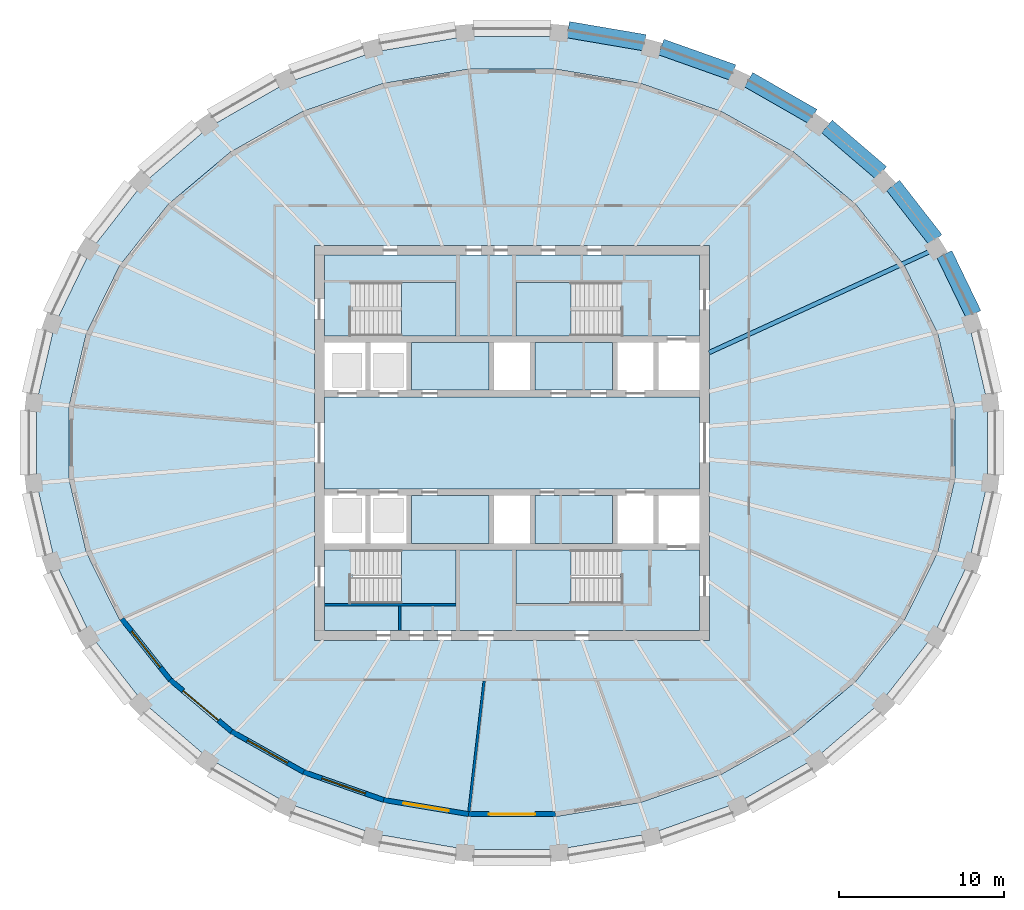
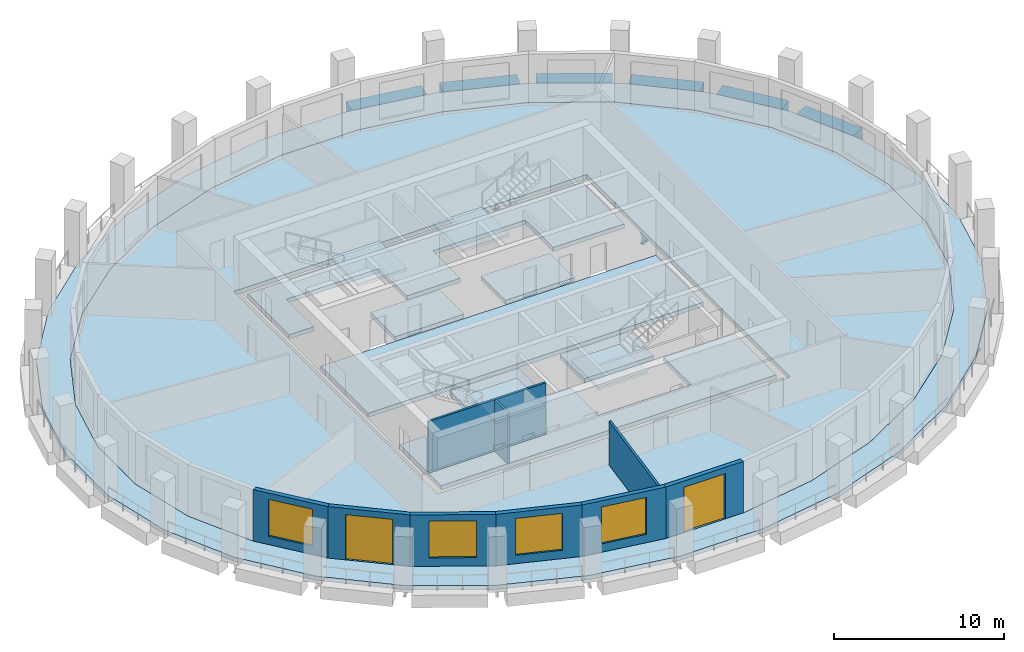
# One storey, part 2 of 10: 13 slabs, 9 walls, 7 beams, 4 windows, 2 doors, 6 openings, 4 elements without a shape of their own.
"""IFC4 building model written with IfcOpenShell, lengths in metres."""

from ifc_helpers import new_model, si_unit, direction, frame, frame_2d, origin, origin_2d, place, context, subcontext, project, spatial, polyline, rectangle, i_section, outline, extrude, material, layer, layer_set, material_profile, profile_set, type_object, element, fill, aggregate, save


model = new_model("IFC4")

# Units and contexts
model_context = context("Model", 3, precision=1e-05, world=origin(), true_north=direction((0.0, 1.0)))
body_context = subcontext(model_context, "Body", "Model", "MODEL_VIEW")
ifc_project = project(units=[si_unit("LENGTHUNIT", "METRE"), si_unit("AREAUNIT", "SQUARE_METRE"), si_unit("VOLUMEUNIT", "CUBIC_METRE"), si_unit("PLANEANGLEUNIT", "RADIAN"), si_unit("MASSUNIT", "GRAM", prefix="KILO")], contexts=[model_context])

# Site, building, storey
site_placement = place(None, origin())
site = spatial("IfcSite", under=ifc_project, at=site_placement, CompositionType="ELEMENT")
building_placement = place(site_placement, origin())
building = spatial("IfcBuilding", under=site, at=building_placement, Name="Halqa Exchange Tower", CompositionType="ELEMENT")
storey_placement = place(building_placement, frame((0.0, 0.0, 288.300048828125)))
storey = spatial("IfcBuildingStorey", under=building, at=storey_placement, Name="L67", CompositionType="ELEMENT", Elevation=288.300048828125)

# Beams
ifc_material_1 = material(Name="Steel S355", Category="steel")
ifc_material_profile_1 = material_profile(ifc_material_1, i_section(OverallWidth=0.264892578125, OverallDepth=0.7529296875, WebThickness=0.01318359375, FlangeThickness=0.01708984375, FilletRadius=0.01708984375, at=origin_2d()), Name="IPE 750x147")
ifc_profile_set_1 = profile_set([ifc_material_profile_1], Name="Steel S355")
beam_type_1 = type_object("IfcBeamType", Name="Floor beam IPE 750x147", PredefinedType="BEAM", material=ifc_profile_set_1)
beam_1_placement = place(storey_placement, frame((11.972412109375, 5.4853515625, -0.676513671875), z_axis=(0.909129124533, 0.416514387417, 0.0), x_axis=(-0.416514387417, 0.909129124533, 0.0)))
element("IfcBeam", 1, at=beam_1_placement, inside=storey, type_object=beam_type_1, Name="Radial beam 3", PredefinedType="BEAM", context=body_context, shape_type="SweptSolid", body=[
    extrude(i_section(OverallWidth=0.264892578125, OverallDepth=0.7529296875, WebThickness=0.01318359375, FlangeThickness=0.01708984375, FilletRadius=0.01708984375, at=origin_2d()), origin(), (0.0, 0.0, 1.0), 15.097412109375),
])
ifc_material_2 = material(Name="Concrete C60/75", Category="concrete")
ifc_material_profile_2 = material_profile(ifc_material_2, rectangle(XDim=1.0, YDim=0.89990234375, at=origin_2d()), Name="1000 x 900")
ifc_profile_set_2 = profile_set([ifc_material_profile_2], Name="Concrete C60/75")
beam_type_2 = type_object("IfcBeamType", Name="RC spandrel beam 1000 x 900 C60/75", PredefinedType="SPANDREL", material=ifc_profile_set_2)
beam_2_placement = place(storey_placement, frame((28.0263671875, 7.8193359375, -0.449951171875), z_axis=(-0.435061697702, 0.90040064371, 0.0), x_axis=(-0.90040064371, -0.435061697702, 0.0)))
element("IfcBeam", 2, at=beam_2_placement, inside=storey, type_object=beam_type_2, Name="Spandrel 2", PredefinedType="SPANDREL", context=body_context, shape_type="SweptSolid", body=[
    extrude(rectangle(XDim=1.0, YDim=0.89990234375, at=origin_2d()), origin(), (0.0, 0.0, 1.0), 4.039794921875),
])
beam_3_placement = place(storey_placement, frame((25.71728515625, 12.343994140625, -0.449951171875), z_axis=(-0.614781231149, 0.788697684684, 0.0), x_axis=(-0.788697684684, -0.614781231149, 0.0)))
element("IfcBeam", 3, at=beam_3_placement, inside=storey, type_object=beam_type_2, Name="Spandrel 3", PredefinedType="SPANDREL", context=body_context, shape_type="SweptSolid", body=[
    extrude(rectangle(XDim=1.0, YDim=0.89990234375, at=origin_2d()), origin(), (0.0, 0.0, 1.0), 4.180419921875),
])
beam_4_placement = place(storey_placement, frame((22.42626953125, 16.396484375, -0.449951171875), z_axis=(-0.759256602365, 0.650791373456, 0.0), x_axis=(-0.650791373456, -0.759256602365, 0.0)))
element("IfcBeam", 4, at=beam_4_placement, inside=storey, type_object=beam_type_2, Name="Spandrel 4", PredefinedType="SPANDREL", context=body_context, shape_type="SweptSolid", body=[
    extrude(rectangle(XDim=1.0, YDim=0.89990234375, at=origin_2d()), origin(), (0.0, 0.0, 1.0), 4.342041015625),
])
beam_5_placement = place(storey_placement, frame((18.27685546875, 19.82373046875, -0.449951171875), z_axis=(-0.867761736786, 0.496980450492, 0.0), x_axis=(-0.496980450492, -0.867761736786, 0.0)))
element("IfcBeam", 5, at=beam_5_placement, inside=storey, type_object=beam_type_2, Name="Spandrel 5", PredefinedType="SPANDREL", context=body_context, shape_type="SweptSolid", body=[
    extrude(rectangle(XDim=1.0, YDim=0.89990234375, at=origin_2d()), origin(), (0.0, 0.0, 1.0), 4.497802734375),
])
beam_6_placement = place(storey_placement, frame((13.42529296875, 22.4951171875, -0.449951171875), z_axis=(-0.942367104473, 0.334580693418, 0.0), x_axis=(-0.334580693418, -0.942367104473, 0.0)))
element("IfcBeam", 6, at=beam_6_placement, inside=storey, type_object=beam_type_2, Name="Spandrel 6", PredefinedType="SPANDREL", context=body_context, shape_type="SweptSolid", body=[
    extrude(rectangle(XDim=1.0, YDim=0.89990234375, at=origin_2d()), origin(), (0.0, 0.0, 1.0), 4.626220703125),
])
beam_7_placement = place(storey_placement, frame((8.05419921875, 24.306640625, -0.449951171875), z_axis=(-0.985774984222, 0.168070462848, 0.0), x_axis=(-0.168070462848, -0.985774984222, 0.0)))
element("IfcBeam", 7, at=beam_7_placement, inside=storey, type_object=beam_type_2, Name="Spandrel 7", PredefinedType="SPANDREL", context=body_context, shape_type="SweptSolid", body=[
    extrude(rectangle(XDim=1.0, YDim=0.89990234375, at=origin_2d()), origin(), (0.0, 0.0, 1.0), 4.710693359375),
])

# Slabs
ifc_layer_1 = layer(ifc_material_2, 0.300048828125)
ifc_layer_set_1 = layer_set([ifc_layer_1], Name="Concrete C60/75")
slab_type_1 = type_object("IfcSlabType", Name="Core floor slab 300", PredefinedType="FLOOR", material=ifc_layer_set_1)
slab_1_placement = place(storey_placement, frame((0.0, 0.0, -0.300048828125)))
element("IfcSlab", 8, at=slab_1_placement, inside=storey, type_object=slab_type_1, Name="Core floor slab", PredefinedType="FLOOR", context=body_context, shape_type="SweptSolid", body=[
    extrude(outline(polyline([(-11.39990234375, 2.800048828125), (11.39990234375, 2.800048828125), (11.39990234375, -2.800048828125), (-11.39990234375, -2.800048828125), (-11.39990234375, 2.800048828125)])), origin(), (0.0, 0.0, 1.0), 0.300048828125),
])
slab_2_placement = place(storey_placement, frame((0.0, 0.0, -0.300048828125)))
element("IfcSlab", 9, at=slab_2_placement, inside=storey, type_object=slab_type_1, Name="Core floor slab", PredefinedType="FLOOR", context=body_context, shape_type="SweptSolid", body=[
    extrude(outline(polyline([(-11.39990234375, 11.39990234375), (11.39990234375, 11.39990234375), (11.39990234375, 6.5), (6.550048828125, 6.5), (6.550048828125, 9.75), (0.25, 9.75), (0.25, 6.5), (-3.39990234375, 6.5), (-3.39990234375, 9.75), (-9.699951171875, 9.75), (-9.699951171875, 6.5), (-11.39990234375, 6.5), (-11.39990234375, 11.39990234375)])), origin(), (0.0, 0.0, 1.0), 0.300048828125),
])
slab_3_placement = place(storey_placement, frame((0.0, 0.0, -0.300048828125)))
element("IfcSlab", 10, at=slab_3_placement, inside=storey, type_object=slab_type_1, Name="Core floor slab", PredefinedType="FLOOR", context=body_context, shape_type="SweptSolid", body=[
    extrude(outline(polyline([(-11.39990234375, -6.5), (-9.699951171875, -6.5), (-9.699951171875, -9.75), (-3.39990234375, -9.75), (-3.39990234375, -6.5), (0.25, -6.5), (0.25, -9.75), (6.550048828125, -9.75), (6.550048828125, -6.5), (11.39990234375, -6.5), (11.39990234375, -11.39990234375), (-11.39990234375, -11.39990234375), (-11.39990234375, -6.5)])), origin(), (0.0, 0.0, 1.0), 0.300048828125),
])
slab_4_placement = place(storey_placement, frame((0.0, 0.0, -0.300048828125)))
element("IfcSlab", 11, at=slab_4_placement, inside=storey, type_object=slab_type_1, Name="Core floor slab", PredefinedType="FLOOR", context=body_context, shape_type="SweptSolid", body=[
    extrude(outline(polyline([(-1.39990234375, -3.199951171875), (-1.39990234375, -6.10009765625), (-6.10009765625, -6.10009765625), (-6.10009765625, -3.199951171875), (-1.39990234375, -3.199951171875)])), origin(), (0.0, 0.0, 1.0), 0.300048828125),
])
slab_5_placement = place(storey_placement, frame((0.0, 0.0, -0.300048828125)))
element("IfcSlab", 12, at=slab_5_placement, inside=storey, type_object=slab_type_1, Name="Core floor slab", PredefinedType="FLOOR", context=body_context, shape_type="SweptSolid", body=[
    extrude(outline(polyline([(-1.39990234375, 3.199951171875), (-6.10009765625, 3.199951171875), (-6.10009765625, 6.10009765625), (-1.39990234375, 6.10009765625), (-1.39990234375, 3.199951171875)])), origin(), (0.0, 0.0, 1.0), 0.300048828125),
])
slab_6_placement = place(storey_placement, frame((0.0, 0.0, -0.300048828125)))
element("IfcSlab", 13, at=slab_6_placement, inside=storey, type_object=slab_type_1, Name="Core floor slab", PredefinedType="FLOOR", context=body_context, shape_type="SweptSolid", body=[
    extrude(outline(polyline([(6.10009765625, -3.199951171875), (6.10009765625, -6.10009765625), (1.39990234375, -6.10009765625), (1.39990234375, -3.199951171875), (6.10009765625, -3.199951171875)])), origin(), (0.0, 0.0, 1.0), 0.300048828125),
])
slab_7_placement = place(storey_placement, frame((0.0, 0.0, -0.300048828125)))
element("IfcSlab", 14, at=slab_7_placement, inside=storey, type_object=slab_type_1, Name="Core floor slab", PredefinedType="FLOOR", context=body_context, shape_type="SweptSolid", body=[
    extrude(outline(polyline([(6.10009765625, 6.10009765625), (6.10009765625, 3.199951171875), (1.39990234375, 3.199951171875), (1.39990234375, 6.10009765625), (6.10009765625, 6.10009765625)])), origin(), (0.0, 0.0, 1.0), 0.300048828125),
])
ifc_material_3 = material(Name="Concrete C40/50", Category="concrete")
ifc_layer_2 = layer(ifc_material_3, 0.300048828125)
ifc_layer_set_2 = layer_set([ifc_layer_2], Name="Concrete C40/50")
slab_type_2 = type_object("IfcSlabType", Name="RC floor slab 300", PredefinedType="FLOOR", material=ifc_layer_set_2)
slab_8_placement = place(storey_placement, frame((0.0, 0.0, -0.300048828125)))
element("IfcSlab", 15, at=slab_8_placement, inside=storey, type_object=slab_type_2, Name="Floor slab", PredefinedType="FLOOR", context=body_context, shape_type="SweptSolid", body=[
    extrude(outline(polyline([(26.897705078125, 2.2412109375), (25.859619140625, 6.6357421875), (23.825439453125, 10.771484375), (20.8759765625, 14.4892578125), (17.126708984375, 17.646728515625), (12.72265625, 20.125), (7.8330078125, 21.830810546875), (2.64453125, 22.699951171875), (-2.64453125, 22.699951171875), (-7.8330078125, 21.830810546875), (-12.72265625, 20.125), (-17.126708984375, 17.646728515625), (-20.8759765625, 14.4892578125), (-23.825439453125, 10.771484375), (-25.859619140625, 6.6357421875), (-26.897705078125, 2.2412109375), (-26.897705078125, -2.2412109375), (-25.859619140625, -6.6357421875), (-23.825439453125, -10.771484375), (-20.8759765625, -14.4892578125), (-17.126708984375, -17.646728515625), (-12.72265625, -20.125), (-7.8330078125, -21.830810546875), (-2.64453125, -22.699951171875), (2.64453125, -22.699951171875), (7.8330078125, -21.830810546875), (12.72265625, -20.125), (17.126708984375, -17.646728515625), (20.8759765625, -14.4892578125), (23.825439453125, -10.771484375), (25.859619140625, -6.6357421875), (26.897705078125, -2.2412109375), (26.897705078125, 2.2412109375)]), holes=[polyline([(-12.0, -12.0), (12.0, -12.0), (12.0, 12.0), (-12.0, 12.0), (-12.0, -12.0)])]), origin(), (0.0, 0.0, 1.0), 0.300048828125),
])
ifc_layer_3 = layer(ifc_material_3, 0.300048828125)
ifc_layer_set_3 = layer_set([ifc_layer_3], Name="Concrete C40/50")
slab_type_3 = type_object("IfcSlabType", Name="RC loggia slab 300", PredefinedType="FLOOR", material=ifc_layer_set_3)
slab_9_placement = place(storey_placement, frame((0.0, 0.0, -0.300048828125)))
element("IfcSlab", 16, at=slab_9_placement, inside=storey, type_object=slab_type_3, Name="Loggia slab", PredefinedType="FLOOR", context=body_context, shape_type="SweptSolid", body=[
    extrude(outline(polyline([(28.884033203125, 2.42333984375), (28.884033203125, -2.42333984375), (27.780517578125, -7.17919921875), (25.61279296875, -11.664794921875), (22.460693359375, -15.70849609375), (18.44189453125, -19.1533203125), (13.708984375, -21.86376953125), (8.4443359375, -23.73291015625), (2.851806640625, -24.686279296875), (-2.851806640625, -24.686279296875), (-8.4443359375, -23.73291015625), (-13.708984375, -21.86376953125), (-18.44189453125, -19.1533203125), (-22.460693359375, -15.70849609375), (-25.61279296875, -11.664794921875), (-27.780517578125, -7.17919921875), (-28.884033203125, -2.42333984375), (-28.884033203125, 2.42333984375), (-27.780517578125, 7.17919921875), (-25.61279296875, 11.664794921875), (-22.460693359375, 15.70849609375), (-18.44189453125, 19.1533203125), (-13.708984375, 21.86376953125), (-8.4443359375, 23.73291015625), (-2.851806640625, 24.686279296875), (2.851806640625, 24.686279296875), (8.4443359375, 23.73291015625), (13.708984375, 21.86376953125), (18.44189453125, 19.1533203125), (22.460693359375, 15.70849609375), (25.61279296875, 11.664794921875), (27.780517578125, 7.17919921875), (28.884033203125, 2.42333984375)]), holes=[polyline([(26.897705078125, 2.2412109375), (25.859619140625, 6.6357421875), (23.825439453125, 10.771484375), (20.8759765625, 14.4892578125), (17.126708984375, 17.646728515625), (12.72265625, 20.125), (7.8330078125, 21.830810546875), (2.64453125, 22.699951171875), (-2.64453125, 22.699951171875), (-7.8330078125, 21.830810546875), (-12.72265625, 20.125), (-17.126708984375, 17.646728515625), (-20.8759765625, 14.4892578125), (-23.825439453125, 10.771484375), (-25.859619140625, 6.6357421875), (-26.897705078125, 2.2412109375), (-26.897705078125, -2.2412109375), (-25.859619140625, -6.6357421875), (-23.825439453125, -10.771484375), (-20.8759765625, -14.4892578125), (-17.126708984375, -17.646728515625), (-12.72265625, -20.125), (-7.8330078125, -21.830810546875), (-2.64453125, -22.699951171875), (2.64453125, -22.699951171875), (7.8330078125, -21.830810546875), (12.72265625, -20.125), (17.126708984375, -17.646728515625), (20.8759765625, -14.4892578125), (23.825439453125, -10.771484375), (25.859619140625, -6.6357421875), (26.897705078125, -2.2412109375), (26.897705078125, 2.2412109375)])]), origin(), (0.0, 0.0, 1.0), 0.300048828125),
])

# Stair, slab
ifc_material_4 = material(Name="Concrete C30/37", Category="concrete")
stair_type = type_object("IfcStairType", Name="Exit stair 1500 wide", PredefinedType="HALF_TURN_STAIR", material=ifc_material_4)
stair_1_placement = place(storey_placement, origin())
stair_1 = element("IfcStair", 17, at=stair_1_placement, inside=storey, type_object=stair_type, Name="Exit stair ST1", PredefinedType="HALF_TURN_STAIR")
ifc_layer_4 = layer(ifc_material_4, 0.199951171875)
ifc_layer_set_4 = layer_set([ifc_layer_4], Name="Concrete C30/37")
slab_type_4 = type_object("IfcSlabType", Name="Stair landing 200 slab", PredefinedType="LANDING", material=ifc_layer_set_4)
slab_10_placement = place(storey_placement, frame((0.0, 0.0, 1.800048828125)))
slab_10 = element("IfcSlab", 18, at=slab_10_placement, type_object=slab_type_4, Name="ST1 landing 1", PredefinedType="LANDING", context=body_context, shape_type="SweptSolid", body=[
    extrude(outline(polyline([(-6.719970703125, 6.5), (-3.39990234375, 6.5), (-3.39990234375, 9.75), (-6.719970703125, 9.75), (-6.719970703125, 6.5)])), origin(), (0.0, 0.0, 1.0), 0.199951171875),
])
aggregate(stair_1, [slab_10])

stair_2_placement = place(storey_placement, origin())
stair_2 = element("IfcStair", 19, at=stair_2_placement, inside=storey, type_object=stair_type, Name="Exit stair ST2", PredefinedType="HALF_TURN_STAIR")
slab_11_placement = place(storey_placement, frame((0.0, 0.0, 1.800048828125)))
slab_11 = element("IfcSlab", 20, at=slab_11_placement, type_object=slab_type_4, Name="ST2 landing 1", PredefinedType="LANDING", context=body_context, shape_type="SweptSolid", body=[
    extrude(outline(polyline([(0.25, 6.5), (3.570068359375, 6.5), (3.570068359375, 9.75), (0.25, 9.75), (0.25, 6.5)])), origin(), (0.0, 0.0, 1.0), 0.199951171875),
])
aggregate(stair_2, [slab_11])

stair_3_placement = place(storey_placement, origin())
stair_3 = element("IfcStair", 21, at=stair_3_placement, inside=storey, type_object=stair_type, Name="Exit stair ST3", PredefinedType="HALF_TURN_STAIR")
slab_12_placement = place(storey_placement, frame((0.0, 0.0, 1.800048828125)))
slab_12 = element("IfcSlab", 22, at=slab_12_placement, type_object=slab_type_4, Name="ST3 landing 1", PredefinedType="LANDING", context=body_context, shape_type="SweptSolid", body=[
    extrude(outline(polyline([(-6.719970703125, -9.75), (-3.39990234375, -9.75), (-3.39990234375, -6.5), (-6.719970703125, -6.5), (-6.719970703125, -9.75)])), origin(), (0.0, 0.0, 1.0), 0.199951171875),
])
aggregate(stair_3, [slab_12])

stair_4_placement = place(storey_placement, origin())
stair_4 = element("IfcStair", 23, at=stair_4_placement, inside=storey, type_object=stair_type, Name="Exit stair ST4", PredefinedType="HALF_TURN_STAIR")
slab_13_placement = place(storey_placement, frame((0.0, 0.0, 1.800048828125)))
slab_13 = element("IfcSlab", 24, at=slab_13_placement, type_object=slab_type_4, Name="ST4 landing 1", PredefinedType="LANDING", context=body_context, shape_type="SweptSolid", body=[
    extrude(outline(polyline([(0.25, -9.75), (3.570068359375, -9.75), (3.570068359375, -6.5), (0.25, -6.5), (0.25, -9.75)])), origin(), (0.0, 0.0, 1.0), 0.199951171875),
])
aggregate(stair_4, [slab_13])

# Walls
ifc_material_5 = material(Name="Fire-rated gypsum board")
ifc_layer_5 = layer(ifc_material_5, 0.14990234375)
ifc_layer_set_5 = layer_set([ifc_layer_5], Name="Fire-rated gypsum board")
wall_type_1 = type_object("IfcWallType", Name="Fire partition EI 60 150", PredefinedType="PARTITIONING", material=ifc_layer_set_5)
wall_1_placement = place(storey_placement, frame((-1.687744140625, -14.466552734375, 0.0), z_axis=(0.0, 0.0, 1.0), x_axis=(-0.116071250105, -0.993240889663, 0.0)))
element("IfcWall", 25, at=wall_1_placement, inside=storey, type_object=wall_type_1, Name="L67-PWL-008", PredefinedType="PARTITIONING", context=body_context, shape_type="SweptSolid", body=[
    extrude(outline(polyline([(7.984375, -0.074951171875), (7.984375, 0.025390625), (7.978515625, 0.074951171875), (5.98388671875, 0.074951171875), (3.9892578125, 0.074951171875), (1.99462890625, 0.074951171875), (0.0, 0.074951171875), (0.0, 0.07275390625), (0.017333984375, -0.074951171875), (2.009033203125, -0.074951171875), (4.000732421875, -0.074951171875), (5.99267578125, -0.074951171875), (7.984375, -0.074951171875)])), origin(), (0.0, 0.0, 1.0), 3.14990234375),
])
ifc_material_6 = material(Name="Gypsum board")
ifc_layer_6 = layer(ifc_material_6, 0.14990234375)
ifc_layer_set_6 = layer_set([ifc_layer_6], Name="Gypsum board")
wall_type_2 = type_object("IfcWallType", Name="Penthouse riser wall 150 gypsum", PredefinedType="PARTITIONING", material=ifc_layer_set_6)
wall_2_placement = place(storey_placement, frame((-6.824951171875, -11.39990234375, 0.0), z_axis=(0.0, 0.0, 1.0), x_axis=(0.0, 1.0, 0.0)))
element("IfcWall", 26, at=wall_2_placement, inside=storey, type_object=wall_type_2, Name="Partition W6.825 S", PredefinedType="PARTITIONING", context=body_context, shape_type="SweptSolid", body=[
    extrude(rectangle(XDim=1.5, YDim=0.14990234375, at=frame_2d((0.75, 0.0))), origin(), (0.0, 0.0, 1.0), 3.699951171875),
])
ifc_layer_7 = layer(ifc_material_4, 0.14990234375)
ifc_layer_set_7 = layer_set([ifc_layer_7], Name="Concrete C30/37")
wall_type_3 = type_object("IfcWallType", Name="RC stair wall 150 C30/37", PredefinedType="SHEAR", material=ifc_layer_set_7)
wall_3_placement = place(storey_placement, frame((-11.39990234375, -9.824951171875, 0.0), z_axis=(0.0, 0.0, 1.0), x_axis=(1.0, 0.0, 0.0)))
element("IfcWall", 27, at=wall_3_placement, inside=storey, type_object=wall_type_3, Name="Stair ST1 north wall S", PredefinedType="SHEAR", context=body_context, shape_type="SweptSolid", body=[
    extrude(rectangle(XDim=8.0, YDim=0.14990234375, at=frame_2d((4.0, 0.0))), origin(), (0.0, 0.0, 1.0), 3.699951171875),
])

# Wall, opening, window
ifc_material_7 = material(Name="Limestone cladding", Category="masonry")
ifc_layer_8 = layer(ifc_material_7, 0.0400390625)
ifc_material_8 = material(Name="Ventilated cavity")
ifc_layer_9 = layer(ifc_material_8, 0.030029296875, ventilated=True)
ifc_material_9 = material(Name="Mineral wool insulation")
ifc_layer_10 = layer(ifc_material_9, 0.10009765625)
ifc_layer_11 = layer(ifc_material_4, 0.10009765625)
ifc_material_10 = material(Name="Internal plaster")
ifc_layer_12 = layer(ifc_material_10, 0.030029296875)
ifc_layer_set_8 = layer_set([ifc_layer_8, ifc_layer_9, ifc_layer_10, ifc_layer_11, ifc_layer_12], Name="Stone-faced insulated wall 300")
wall_type_4 = type_object("IfcWallType", Name="Stone-faced insulated wall 300", PredefinedType="STANDARD", material=ifc_layer_set_8)
wall_4_placement = place(storey_placement, frame((-23.697998046875, -10.69091796875, 0.0), z_axis=(0.0, 0.0, 1.0), x_axis=(0.621544881236, -0.783378555112, 0.0)))
wall_4 = element("IfcWall", 28, at=wall_4_placement, inside=storey, type_object=wall_type_4, Name="Glass-line wall 19", PredefinedType="STANDARD", context=body_context, shape_type="SweptSolid", body=[
    extrude(outline(polyline([(-0.01611328125, -0.14990234375), (4.7294921875, -0.14990234375), (4.69921875, 0.14990234375), (0.01611328125, 0.14990234375), (-0.01611328125, -0.14990234375)])), origin(), (0.0, 0.0, 1.0), 3.699951171875),
])
opening_1_placement = place(wall_4_placement, frame((0.957275390625, 0.0, 0.60009765625)))
opening_1 = element("IfcOpeningElement", 29, at=opening_1_placement, cuts=wall_4, Name="Opening W-F4-19", PredefinedType="OPENING", context=body_context, shape_type="SweptSolid", body=[
    extrude(rectangle(XDim=2.800048828125, YDim=2.64990234375, at=frame_2d((1.39990234375, 1.324951171875))), frame((0.0, 0.162109375, 0.0), z_axis=(0.0, -1.0, 0.0), x_axis=(1.0, 0.0, 0.0)), (0.0, 0.0, 1.0), 0.323974609375),
])
ifc_material_11 = material(Name="Clear low-emissivity glass in aluminium frame", Category="aluminium")
window_type = type_object("IfcWindowType", Name="Fixed clear glazed window 2800 x 2650", PartitioningType="DOUBLE_PANEL_VERTICAL", PredefinedType="WINDOW", material=ifc_material_11)
window_1_placement = place(opening_1_placement, origin())
window_1 = element("IfcWindow", 30, at=window_1_placement, inside=storey, type_object=window_type, Name="Window 4", OverallHeight=2.64990234375, OverallWidth=2.800048828125, PartitioningType="DOUBLE_PANEL_VERTICAL", PredefinedType="WINDOW", context=body_context, shape_type="SweptSolid", body=[
    extrude(rectangle(XDim=2.800048828125, YDim=2.64990234375, at=frame_2d((1.39990234375, 1.324951171875))), frame((0.0, 0.030029296875, 0.0), z_axis=(0.0, -1.0, 0.0), x_axis=(1.0, 0.0, 0.0)), (0.0, 0.0, 1.0), 0.06005859375),
])
fill(opening_1, window_1)

# Wall, opening, door
wall_5_placement = place(storey_placement, frame((-20.767822265625, -14.384033203125, 0.0), z_axis=(0.0, 0.0, 1.0), x_axis=(0.764876116592, -0.644177402792, 0.0)))
wall_5 = element("IfcWall", 31, at=wall_5_placement, inside=storey, type_object=wall_type_4, Name="Glass-line wall 20", PredefinedType="STANDARD", context=body_context, shape_type="SweptSolid", body=[
    extrude(outline(polyline([(-0.01513671875, -0.14990234375), (4.886962890625, -0.14990234375), (4.858642578125, 0.14990234375), (0.01513671875, 0.14990234375), (-0.01513671875, -0.14990234375)])), origin(), (0.0, 0.0, 1.0), 3.699951171875),
])
opening_2_placement = place(wall_5_placement, frame((1.036376953125, 0.0, 0.0)))
opening_2 = element("IfcOpeningElement", 32, at=opening_2_placement, cuts=wall_5, Name="Opening LG-F4-05", PredefinedType="OPENING", context=body_context, shape_type="SweptSolid", body=[
    extrude(rectangle(XDim=2.800048828125, YDim=3.25, at=frame_2d((1.39990234375, 1.625))), frame((0.0, 0.162109375, 0.0), z_axis=(0.0, -1.0, 0.0), x_axis=(1.0, 0.0, 0.0)), (0.0, 0.0, 1.0), 0.323974609375),
])
door_type = type_object("IfcDoorType", Name="Glazed sliding loggia door 2800 x 3250", OperationType="DOUBLE_DOOR_SLIDING", PredefinedType="DOOR", material=ifc_material_11)
door_1_placement = place(opening_2_placement, origin())
door_1 = element("IfcDoor", 33, at=door_1_placement, inside=storey, type_object=door_type, Name="Loggia door 5", OperationType="DOUBLE_DOOR_SLIDING", OverallHeight=3.25, OverallWidth=2.800048828125, PredefinedType="DOOR", context=body_context, shape_type="SweptSolid", body=[
    extrude(rectangle(XDim=2.800048828125, YDim=3.25, at=frame_2d((1.39990234375, 1.625))), frame((0.0, 0.02490234375, 0.0), z_axis=(0.0, -1.0, 0.0), x_axis=(1.0, 0.0, 0.0)), (0.0, 0.0, 1.0), 0.050048828125),
])
fill(opening_2, door_1)

# Wall, opening, window
wall_6_placement = place(storey_placement, frame((-17.040771484375, -17.52294921875, 0.0), z_axis=(0.0, 0.0, 1.0), x_axis=(0.871488606878, -0.490415750239, 0.0)))
wall_6 = element("IfcWall", 34, at=wall_6_placement, inside=storey, type_object=wall_type_4, Name="Glass-line wall 21", PredefinedType="STANDARD", context=body_context, shape_type="SweptSolid", body=[
    extrude(outline(polyline([(-0.01416015625, -0.14990234375), (5.039306640625, -0.14990234375), (5.012939453125, 0.14990234375), (0.01416015625, 0.14990234375), (-0.01416015625, -0.14990234375)])), origin(), (0.0, 0.0, 1.0), 3.699951171875),
])
opening_3_placement = place(wall_6_placement, frame((1.113037109375, 0.0, 0.60009765625)))
opening_3 = element("IfcOpeningElement", 35, at=opening_3_placement, cuts=wall_6, Name="Opening W-F4-21", PredefinedType="OPENING", context=body_context, shape_type="SweptSolid", body=[
    extrude(rectangle(XDim=2.800048828125, YDim=2.64990234375, at=frame_2d((1.39990234375, 1.324951171875))), frame((0.0, 0.162109375, 0.0), z_axis=(0.0, -1.0, 0.0), x_axis=(1.0, 0.0, 0.0)), (0.0, 0.0, 1.0), 0.323974609375),
])
window_2_placement = place(opening_3_placement, origin())
window_2 = element("IfcWindow", 36, at=window_2_placement, inside=storey, type_object=window_type, Name="Window 4", OverallHeight=2.64990234375, OverallWidth=2.800048828125, PartitioningType="DOUBLE_PANEL_VERTICAL", PredefinedType="WINDOW", context=body_context, shape_type="SweptSolid", body=[
    extrude(rectangle(XDim=2.800048828125, YDim=2.64990234375, at=frame_2d((1.39990234375, 1.324951171875))), frame((0.0, 0.030029296875, 0.0), z_axis=(0.0, -1.0, 0.0), x_axis=(1.0, 0.0, 0.0)), (0.0, 0.0, 1.0), 0.06005859375),
])
fill(opening_3, window_2)

wall_7_placement = place(storey_placement, frame((-12.66064453125, -19.98779296875, 0.0), z_axis=(0.0, 0.0, 1.0), x_axis=(0.944204293701, -0.329360367617, 0.0)))
wall_7 = element("IfcWall", 37, at=wall_7_placement, inside=storey, type_object=wall_type_4, Name="Glass-line wall 22", PredefinedType="STANDARD", context=body_context, shape_type="SweptSolid", body=[
    extrude(outline(polyline([(-0.01318359375, -0.14990234375), (5.165283203125, -0.14990234375), (5.139892578125, 0.14990234375), (0.01318359375, 0.14990234375), (-0.01318359375, -0.14990234375)])), origin(), (0.0, 0.0, 1.0), 3.699951171875),
])
opening_4_placement = place(wall_7_placement, frame((1.17626953125, 0.0, 0.60009765625)))
opening_4 = element("IfcOpeningElement", 38, at=opening_4_placement, cuts=wall_7, Name="Opening W-F4-22", PredefinedType="OPENING", context=body_context, shape_type="SweptSolid", body=[
    extrude(rectangle(XDim=2.800048828125, YDim=2.64990234375, at=frame_2d((1.39990234375, 1.324951171875))), frame((0.0, 0.162109375, 0.0), z_axis=(0.0, -1.0, 0.0), x_axis=(1.0, 0.0, 0.0)), (0.0, 0.0, 1.0), 0.323974609375),
])
window_3_placement = place(opening_4_placement, origin())
window_3 = element("IfcWindow", 39, at=window_3_placement, inside=storey, type_object=window_type, Name="Window 4", OverallHeight=2.64990234375, OverallWidth=2.800048828125, PartitioningType="DOUBLE_PANEL_VERTICAL", PredefinedType="WINDOW", context=body_context, shape_type="SweptSolid", body=[
    extrude(rectangle(XDim=2.800048828125, YDim=2.64990234375, at=frame_2d((1.39990234375, 1.324951171875))), frame((0.0, 0.030029296875, 0.0), z_axis=(0.0, -1.0, 0.0), x_axis=(1.0, 0.0, 0.0)), (0.0, 0.0, 1.0), 0.06005859375),
])
fill(opening_4, window_3)

wall_8_placement = place(storey_placement, frame((-7.795654296875, -21.684814453125, 0.0), z_axis=(0.0, 0.0, 1.0), x_axis=(0.986257472007, -0.165215613396, 0.0)))
wall_8 = element("IfcWall", 40, at=wall_8_placement, inside=storey, type_object=wall_type_4, Name="Glass-line wall 23", PredefinedType="STANDARD", context=body_context, shape_type="SweptSolid", body=[
    extrude(outline(polyline([(-0.0126953125, -0.14990234375), (5.248046875, -0.14990234375), (5.22314453125, 0.14990234375), (0.0126953125, 0.14990234375), (-0.0126953125, -0.14990234375)])), origin(), (0.0, 0.0, 1.0), 3.699951171875),
])
opening_5_placement = place(wall_8_placement, frame((1.2177734375, 0.0, 0.60009765625)))
opening_5 = element("IfcOpeningElement", 41, at=opening_5_placement, cuts=wall_8, Name="Opening W-F4-23", PredefinedType="OPENING", context=body_context, shape_type="SweptSolid", body=[
    extrude(rectangle(XDim=2.800048828125, YDim=2.64990234375, at=frame_2d((1.39990234375, 1.324951171875))), frame((0.0, 0.162109375, 0.0), z_axis=(0.0, -1.0, 0.0), x_axis=(1.0, 0.0, 0.0)), (0.0, 0.0, 1.0), 0.323974609375),
])
window_4_placement = place(opening_5_placement, origin())
window_4 = element("IfcWindow", 42, at=window_4_placement, inside=storey, type_object=window_type, Name="Window 4", OverallHeight=2.64990234375, OverallWidth=2.800048828125, PartitioningType="DOUBLE_PANEL_VERTICAL", PredefinedType="WINDOW", context=body_context, shape_type="SweptSolid", body=[
    extrude(rectangle(XDim=2.800048828125, YDim=2.64990234375, at=frame_2d((1.39990234375, 1.324951171875))), frame((0.0, 0.030029296875, 0.0), z_axis=(0.0, -1.0, 0.0), x_axis=(1.0, 0.0, 0.0)), (0.0, 0.0, 1.0), 0.06005859375),
])
fill(opening_5, window_4)

# Wall, opening, door
wall_9_placement = place(storey_placement, frame((-2.632080078125, -22.5498046875, 0.0), z_axis=(0.0, 0.0, 1.0), x_axis=(1.0, 0.0, 0.0)))
wall_9 = element("IfcWall", 43, at=wall_9_placement, inside=storey, type_object=wall_type_4, Name="Glass-line wall 24", PredefinedType="STANDARD", context=body_context, shape_type="SweptSolid", body=[
    extrude(outline(polyline([(-0.012451171875, -0.14990234375), (5.276611328125, -0.14990234375), (5.251708984375, 0.14990234375), (0.012451171875, 0.14990234375), (-0.012451171875, -0.14990234375)])), origin(), (0.0, 0.0, 1.0), 3.699951171875),
])
opening_6_placement = place(wall_9_placement, frame((1.232177734375, 0.0, 0.0)))
opening_6 = element("IfcOpeningElement", 44, at=opening_6_placement, cuts=wall_9, Name="Opening LG-F4-06", PredefinedType="OPENING", context=body_context, shape_type="SweptSolid", body=[
    extrude(rectangle(XDim=2.800048828125, YDim=3.25, at=frame_2d((1.39990234375, 1.625))), frame((0.0, 0.162109375, 0.0), z_axis=(0.0, -1.0, 0.0), x_axis=(1.0, 0.0, 0.0)), (0.0, 0.0, 1.0), 0.323974609375),
])
door_2_placement = place(opening_6_placement, origin())
door_2 = element("IfcDoor", 45, at=door_2_placement, inside=storey, type_object=door_type, Name="Loggia door 6", OperationType="DOUBLE_DOOR_SLIDING", OverallHeight=3.25, OverallWidth=2.800048828125, PredefinedType="DOOR", context=body_context, shape_type="SweptSolid", body=[
    extrude(rectangle(XDim=2.800048828125, YDim=3.25, at=frame_2d((1.39990234375, 1.625))), frame((0.0, 0.02490234375, 0.0), z_axis=(0.0, -1.0, 0.0), x_axis=(1.0, 0.0, 0.0)), (0.0, 0.0, 1.0), 0.050048828125),
])
fill(opening_6, door_2)

save(model, "model.ifc")
